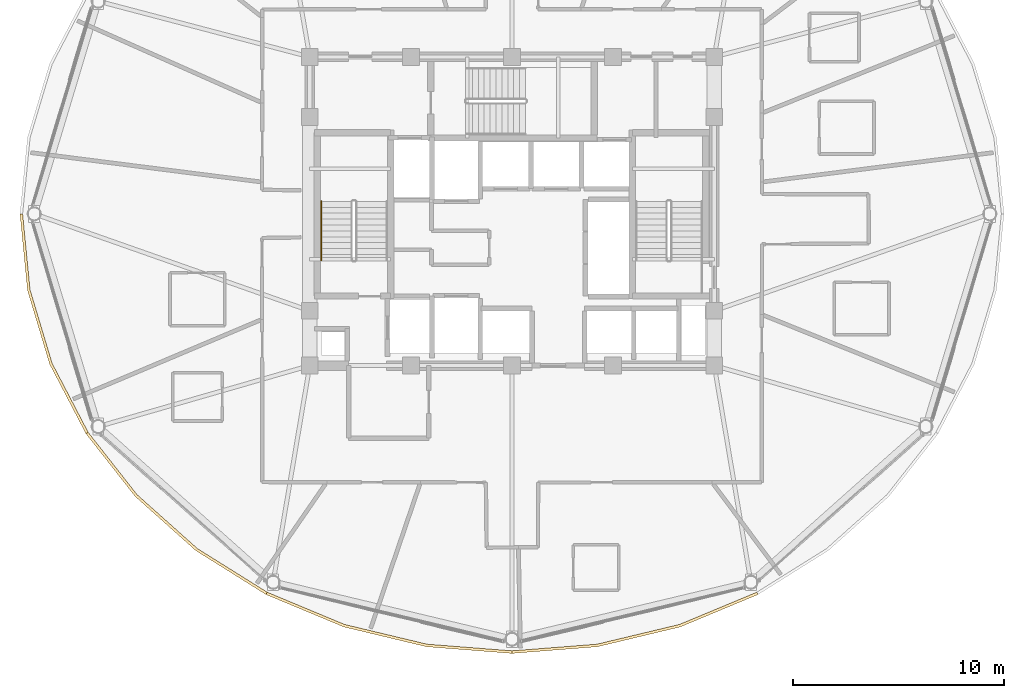
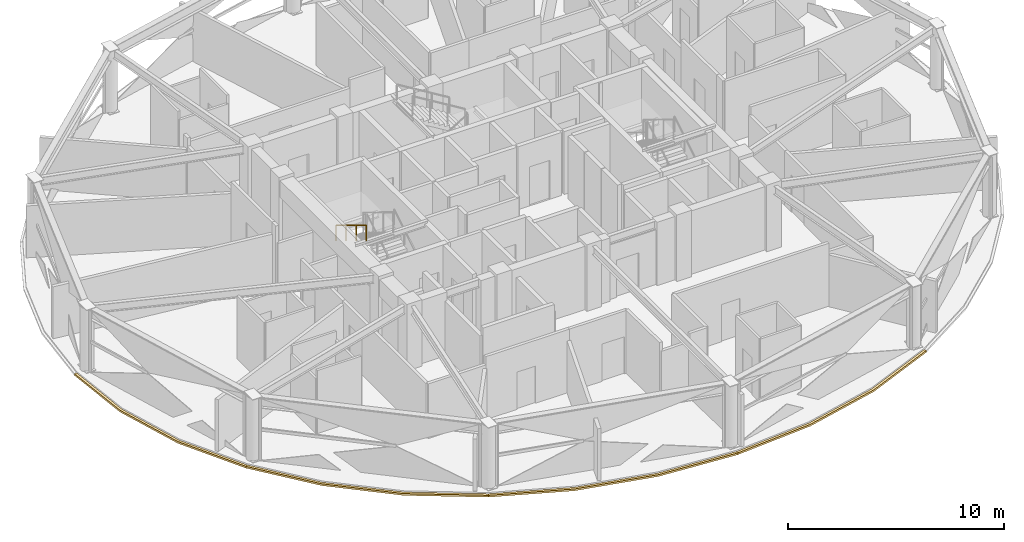
# One storey, part 27 of 30: 4 coverings, 1 railing.
"""IFC4 building model written with IfcOpenShell, lengths in metres."""

from ifc_helpers import new_model, si_unit, direction, frame, origin, origin_2d, place, context, subcontext, project, spatial, polyline, rectangle, outline, extrude, material, layer, layer_set, type_object, element, save


model = new_model("IFC4")

# Units and contexts
model_context = context("Model", 3, precision=1e-05, world=origin(), true_north=direction((0.0, 1.0)))
body_context = subcontext(model_context, "Body", "Model", "MODEL_VIEW")
ifc_project = project(units=[si_unit("LENGTHUNIT", "METRE"), si_unit("AREAUNIT", "SQUARE_METRE"), si_unit("VOLUMEUNIT", "CUBIC_METRE"), si_unit("PLANEANGLEUNIT", "RADIAN"), si_unit("MASSUNIT", "GRAM", prefix="KILO")], contexts=[model_context])

# Site, building, storey
site_placement = place(None, origin())
site = spatial("IfcSite", under=ifc_project, at=site_placement, CompositionType="ELEMENT")
building_placement = place(site_placement, origin())
building = spatial("IfcBuilding", under=site, at=building_placement, Name="Vantalir Tower", CompositionType="ELEMENT")
storey_placement = place(building_placement, frame((0.0, 0.0, 186.14990234375)))
storey = spatial("IfcBuildingStorey", under=building, at=storey_placement, Name="L46", CompositionType="ELEMENT", Elevation=186.14990234375)

# Coverings
ifc_material_1 = material(Name="Anodised champagne aluminium sill fascia", Category="aluminium")
ifc_layer = layer(ifc_material_1, 0.125)
ifc_layer_set = layer_set([ifc_layer], Name="Anodised champagne aluminium sill fascia")
covering_type = type_object("IfcCoveringType", Name="COV-SLAB-FASCIA-125", PredefinedType="CLADDING", material=ifc_layer_set)
covering_1_placement = place(storey_placement, frame((0.0, 0.0, -0.179931640625)))
element("IfcCovering", 1, at=covering_1_placement, inside=storey, type_object=covering_type, Name="L46 Perimeter Slab-Edge Sill Fascia 07", PredefinedType="CLADDING", context=body_context, shape_type="SweptSolid", body=[
    extrude(outline(polyline([(8.14892578125, 25.0), (8.50390625, 21.376953125), (9.556884765625, 17.864013671875), (11.277099609375, 14.568115234375), (11.385986328125, 14.631103515625), (9.675048828125, 17.906982421875), (8.626953125, 21.39892578125), (8.27392578125, 25.0), (8.14892578125, 25.0)])), origin(), (0.0, 0.0, 1.0), 0.10498046875),
])
covering_2_placement = place(storey_placement, frame((0.0, 0.0, -0.179931640625)))
element("IfcCovering", 2, at=covering_2_placement, inside=storey, type_object=covering_type, Name="L46 Perimeter Slab-Edge Sill Fascia 08", PredefinedType="CLADDING", context=body_context, shape_type="SweptSolid", body=[
    extrude(outline(polyline([(11.277099609375, 14.568115234375), (13.612060546875, 11.590087890625), (16.489990234375, 9.01806640625), (19.823974609375, 6.931884765625), (19.886962890625, 7.0400390625), (16.571044921875, 9.114013671875), (13.7080078125, 11.669921875), (11.385986328125, 14.631103515625), (11.277099609375, 14.568115234375)])), origin(), (0.0, 0.0, 1.0), 0.10498046875),
])
covering_3_placement = place(storey_placement, frame((0.0, 0.0, -0.179931640625)))
element("IfcCovering", 3, at=covering_3_placement, inside=storey, type_object=covering_type, Name="L46 Perimeter Slab-Edge Sill Fascia 09", PredefinedType="CLADDING", context=body_context, shape_type="SweptSolid", body=[
    extrude(outline(polyline([(19.823974609375, 6.931884765625), (23.512939453125, 5.39501953125), (27.445068359375, 4.4541015625), (31.5, 4.136962890625), (31.5, 4.261962890625), (27.467041015625, 4.576904296875), (23.555908203125, 5.512939453125), (19.886962890625, 7.0400390625), (19.823974609375, 6.931884765625)])), origin(), (0.0, 0.0, 1.0), 0.10498046875),
])
covering_4_placement = place(storey_placement, frame((0.0, 0.0, -0.179931640625)))
element("IfcCovering", 4, at=covering_4_placement, inside=storey, type_object=covering_type, Name="L46 Perimeter Slab-Edge Sill Fascia 10", PredefinedType="CLADDING", context=body_context, shape_type="SweptSolid", body=[
    extrude(outline(polyline([(31.5, 4.136962890625), (35.554931640625, 4.4541015625), (39.487060546875, 5.39501953125), (43.176025390625, 6.931884765625), (43.113037109375, 7.0400390625), (39.444091796875, 5.512939453125), (35.532958984375, 4.576904296875), (31.5, 4.261962890625), (31.5, 4.136962890625)])), origin(), (0.0, 0.0, 1.0), 0.10498046875),
])

# Railing
ifc_material_2 = material(Name="Brushed stainless steel tubular handrail", Category="steel")
railing_type = type_object("IfcRailingType", Name="RAL-HANDRAIL-900", PredefinedType="HANDRAIL", material=ifc_material_2)
railing_placement = place(storey_placement, frame((22.449951171875, 25.590087890625, 2.045654296875)))
element("IfcRailing", 5, at=railing_placement, inside=storey, type_object=railing_type, Name="L46 ST1 stair handrail 2", PredefinedType="HANDRAIL", context=body_context, shape_type="SweptSolid", body=[
    extrude(rectangle(XDim=0.048095703125, YDim=0.048095703125, at=origin_2d()), frame((0.0, 0.0, 0.8759765625), z_axis=(0.0, -0.854202870247, 0.519939858505), x_axis=(1.0, 0.0, 0.0)), (0.0, 0.0, 1.0), 3.278076171875),
    extrude(rectangle(XDim=0.0419921875, YDim=0.0419921875, at=origin_2d()), origin(), (0.0, 0.0, 1.0), 0.851806640625),
    extrude(rectangle(XDim=0.0419921875, YDim=0.0419921875, at=origin_2d()), frame((0.0, -0.933349609375, 0.568115234375)), (0.0, 0.0, 1.0), 0.851806640625),
    extrude(rectangle(XDim=0.0419921875, YDim=0.0419921875, at=origin_2d()), frame((0.0, -1.86669921875, 1.13623046875)), (0.0, 0.0, 1.0), 0.851806640625),
    extrude(rectangle(XDim=0.0419921875, YDim=0.0419921875, at=origin_2d()), frame((0.0, -2.800048828125, 1.704345703125)), (0.0, 0.0, 1.0), 0.851806640625),
])

save(model, "model.ifc")
